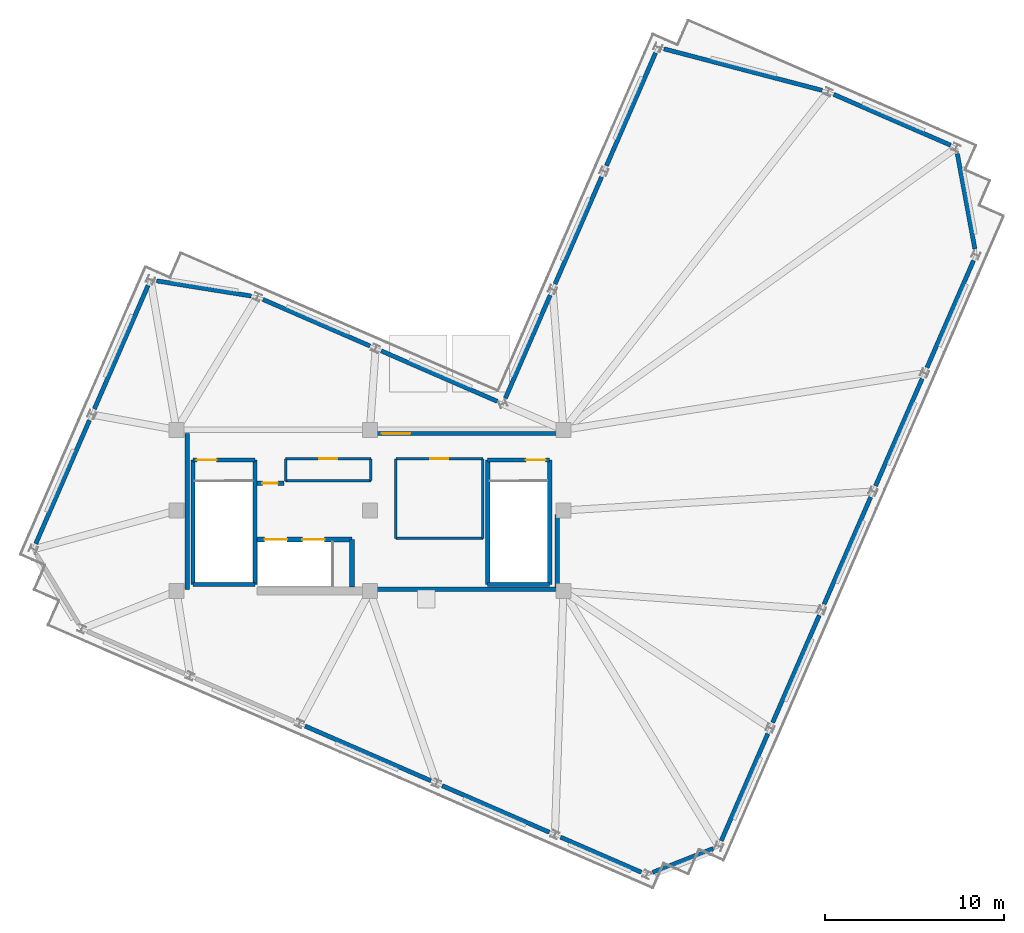
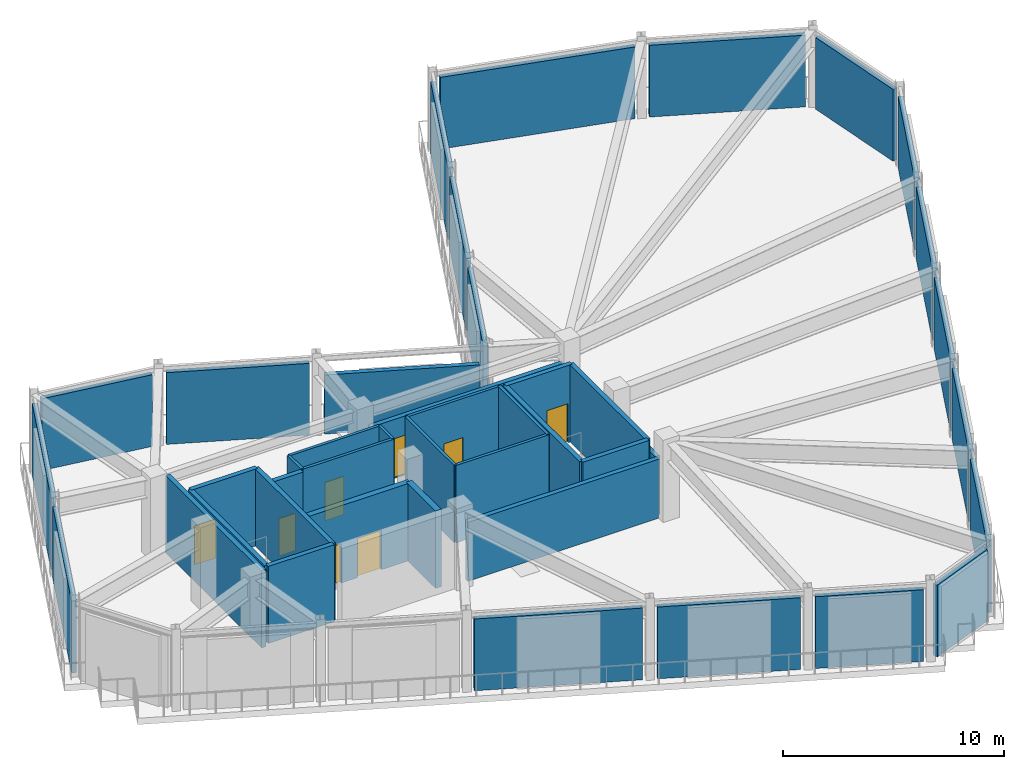
# One storey, part 5 of 7: 43 walls, 8 doors, 8 openings.
"""IFC4 building model written with IfcOpenShell, lengths in metres."""

import ifcopenshell
import ifcopenshell.guid

model = None  # the IFC model being written
_history = None  # IfcOwnerHistory: only IFC2X3 demands one
_inside = {}  # id of a spatial element -> (the spatial element, [elements in it])
_under = {}  # id of a project, library or spatial element -> (it, [spatial elements below it])
_declared = {}  # id of a project -> (the project, [libraries it declares])
_typed = {}  # id of a type object -> (the type object, [elements of that type])
_made_of = {}  # id of a material, layer set ... -> (it, [elements and type objects made of it])


def new_model(schema):
    """Start an empty IFC model of exactly this schema.

    Asked for "IFC4X3", IfcOpenShell would pick the latest addendum, in which some entities
    have other attributes; the version numbers below select the first issue.
    IFC2X3 requires an IfcOwnerHistory on every rooted entity: one is made here for all.
    """
    global model, _history
    if schema == "IFC4X3":
        model = ifcopenshell.file(schema_version=(4, 3, 0, 0))
    else:
        model = ifcopenshell.file(schema=schema)
    _inside.clear()
    _under.clear()
    _declared.clear()
    _typed.clear()
    _made_of.clear()
    _history = None
    if model.schema == "IFC2X3":
        org = make("IfcOrganization", Name="unknown")
        user = make(
            "IfcPersonAndOrganization",
            ThePerson=make("IfcPerson", FamilyName="unknown"),
            TheOrganization=org,
        )
        app = make(
            "IfcApplication",
            ApplicationDeveloper=org,
            Version="unknown",
            ApplicationFullName="unknown",
            ApplicationIdentifier="unknown",
        )
        _history = make(
            "IfcOwnerHistory",
            OwningUser=user,
            OwningApplication=app,
            ChangeAction="ADDED",
            CreationDate=0,
        )
    return model


def make(cls, **values):
    """One entity of the class cls with the attributes given. An attribute that is None is left unset."""
    return model.create_entity(
        cls, **{name: value for name, value in values.items() if value is not None}
    )


def rooted(cls, **values):
    """An entity with a GlobalId (a new one), such as an element, a storey or a relation."""
    return make(cls, GlobalId=ifcopenshell.guid.new(), OwnerHistory=_history, **values)


def si_unit(unit_type, name, prefix=None):
    """IfcSIUnit, for example si_unit("LENGTHUNIT", "METRE", prefix="MILLI")."""
    return make("IfcSIUnit", UnitType=unit_type, Prefix=prefix, Name=name)


def assignment(units):
    """IfcUnitAssignment: the units of a project."""
    return None if units is None else make("IfcUnitAssignment", Units=units)


def point(xyz):
    """IfcCartesianPoint."""
    return None if xyz is None else make("IfcCartesianPoint", Coordinates=xyz)


def direction(xyz):
    """IfcDirection."""
    return None if xyz is None else make("IfcDirection", DirectionRatios=xyz)


def frame(location, z_axis=None, x_axis=None):
    """IfcAxis2Placement3D, a coordinate frame: its origin and axes. An axis left out is left unset."""
    return make(
        "IfcAxis2Placement3D",
        Location=point(location),
        Axis=direction(z_axis),
        RefDirection=direction(x_axis),
    )


def frame_2d(location, x_axis=None):
    """IfcAxis2Placement2D, a coordinate frame in the plane: its origin and x axis."""
    return make(
        "IfcAxis2Placement2D", Location=point(location), RefDirection=direction(x_axis)
    )


def origin():
    """The frame at (0, 0, 0) with its axes left unset."""
    return frame((0.0, 0.0, 0.0))


def place(relative_to, where):
    """IfcLocalPlacement: puts the frame where relative to a parent placement (None: the world)."""
    return make(
        "IfcLocalPlacement", PlacementRelTo=relative_to, RelativePlacement=where
    )


def context(
    kind, dimensions, precision=None, world=None, true_north=None, identifier=None
):
    """IfcGeometricRepresentationContext, for example the 3D "Model" context."""
    return make(
        "IfcGeometricRepresentationContext",
        ContextIdentifier=identifier,
        ContextType=kind,
        CoordinateSpaceDimension=dimensions,
        Precision=precision,
        WorldCoordinateSystem=world,
        TrueNorth=true_north,
    )


def subcontext(parent, identifier, kind, view, scale=None):
    """IfcGeometricRepresentationSubContext, for example "Body" below "Model"."""
    return make(
        "IfcGeometricRepresentationSubContext",
        ContextIdentifier=identifier,
        ContextType=kind,
        ParentContext=parent,
        TargetScale=scale,
        TargetView=view,
    )


def project(units=None, contexts=None):
    """IfcProject with its units and contexts."""
    return rooted(
        "IfcProject",
        Name="project",
        RepresentationContexts=contexts,
        UnitsInContext=assignment(units),
    )


def spatial(cls, under=None, at=None, **own):
    """A site, building, storey or space (cls), placed at a placement, below another one or the project."""
    s = rooted(cls, ObjectPlacement=at, **own)
    if under is not None:
        _under.setdefault(under.id(), (under, []))[1].append(s)
    return s


def profile(cls, at=None, kind="AREA", **sizes):
    """A parametric profile (cls). Its sizes go by their IFC names, for example OverallWidth=200.0."""
    return make(cls, ProfileType=kind, Position=at, **sizes)


def rectangle(**sizes):
    """IfcRectangleProfileDef."""
    return profile("IfcRectangleProfileDef", **sizes)


def extrude(swept, where, along, depth):
    """IfcExtrudedAreaSolid: the profile swept, set in the frame where, extruded along a direction by depth."""
    return make(
        "IfcExtrudedAreaSolid",
        SweptArea=swept,
        Position=where,
        ExtrudedDirection=direction(along),
        Depth=depth,
    )


def shape(context_of_items, identifier, shape_type, items):
    """IfcShapeRepresentation: the items that make up one representation, for example the "Body"."""
    return make(
        "IfcShapeRepresentation",
        ContextOfItems=context_of_items,
        RepresentationIdentifier=identifier,
        RepresentationType=shape_type,
        Items=items,
    )


def material(Name=None, Category=None):
    """IfcMaterial."""
    return make("IfcMaterial", Name=Name, Category=Category)


def layer(
    of_material, thickness, ventilated=None, Name=None, Category=None, Priority=None
):
    """IfcMaterialLayer: one layer of a wall or slab, of a material (None: an air gap)."""
    return make(
        "IfcMaterialLayer",
        Material=of_material,
        LayerThickness=thickness,
        IsVentilated=ventilated,
        Name=Name,
        Category=Category,
        Priority=Priority,
    )


def layer_set(layers, Name=None):
    """IfcMaterialLayerSet."""
    return make("IfcMaterialLayerSet", MaterialLayers=layers, LayerSetName=Name)


def made_of(thing, what):
    """Note that an element or type object is made of a material, layer set ...; save() writes the relation."""
    if what is not None:
        _made_of.setdefault(what.id(), (what, []))[1].append(thing)
    return thing


def type_object(cls, material=None, **own):
    """A type object (cls), such as IfcWallType, which elements share."""
    return made_of(rooted(cls, **own), material)


def element(
    cls,
    number,
    at=None,
    inside=None,
    cuts=None,
    type_object=None,
    material=None,
    context=None,
    identifier="Body",
    shape_type=None,
    held_by="IfcProductDefinitionShape",
    body=None,
    shapes=None,
    **own,
):
    """One element of the class cls, such as IfcWall. Its Tag is "e" and its number.

    at: its placement. inside: the storey or other place that contains it. cuts: it is an
    opening in that element (IfcRelVoidsElement). A single representation is given by context,
    identifier, shape_type and body (its items); several are given by shapes. held_by: the class
    of the entity that holds the representations. save() writes the other relations.
    """
    e = rooted(cls, Tag="e%d" % number, ObjectPlacement=at, **own)
    if body is not None:
        shapes = [shape(context, identifier, shape_type, body)]
    if shapes is not None:
        e.Representation = make(held_by, Representations=shapes)
    if inside is not None:
        _inside.setdefault(inside.id(), (inside, []))[1].append(e)
    if cuts is not None:
        rooted(
            "IfcRelVoidsElement", RelatingBuildingElement=cuts, RelatedOpeningElement=e
        )
    if type_object is not None:
        _typed.setdefault(type_object.id(), (type_object, []))[1].append(e)
    return made_of(e, material)


def fill(opening, filler):
    """IfcRelFillsElement: the door or window that sits in an opening."""
    return rooted(
        "IfcRelFillsElement",
        RelatingOpeningElement=opening,
        RelatedBuildingElement=filler,
    )


def aggregate(whole, parts):
    """IfcRelAggregates: a whole, such as a stair, and the parts it consists of."""
    return rooted("IfcRelAggregates", RelatingObject=whole, RelatedObjects=parts)


def save(model, path):
    """Write the relations noted so far, then the file.

    IfcRelAggregates (storeys below a building ...), IfcRelContainedInSpatialStructure (elements
    in a storey), IfcRelDefinesByType, IfcRelAssociatesMaterial and IfcRelDeclares: one each for
    every whole, place, type object, material and project.
    """
    for whole, parts in _under.values():
        aggregate(whole, parts)
    for where, things in _inside.values():
        rooted(
            "IfcRelContainedInSpatialStructure",
            RelatedElements=things,
            RelatingStructure=where,
        )
    for kind, things in _typed.values():
        rooted("IfcRelDefinesByType", RelatedObjects=things, RelatingType=kind)
    for what, things in _made_of.values():
        rooted("IfcRelAssociatesMaterial", RelatedObjects=things, RelatingMaterial=what)
    for by, libraries in _declared.values():
        rooted("IfcRelDeclares", RelatingContext=by, RelatedDefinitions=libraries)
    model.write(path)


model = new_model("IFC4")

# Units and contexts
model_context = context("Model", 3, precision=1e-05, world=origin(), true_north=direction((0.0, 1.0)))
body_context = subcontext(model_context, "Body", "Model", "MODEL_VIEW")
ifc_project = project(units=[si_unit("LENGTHUNIT", "METRE"), si_unit("AREAUNIT", "SQUARE_METRE"), si_unit("VOLUMEUNIT", "CUBIC_METRE"), si_unit("PLANEANGLEUNIT", "RADIAN"), si_unit("MASSUNIT", "GRAM", prefix="KILO")], contexts=[model_context])

# Site, building, storey
site_placement = place(None, origin())
site = spatial("IfcSite", under=ifc_project, at=site_placement, CompositionType="ELEMENT")
building_placement = place(site_placement, origin())
building = spatial("IfcBuilding", under=site, at=building_placement, Name="Gaonmaruhae Medical Tower", CompositionType="ELEMENT")
storey_placement = place(building_placement, frame((0.0, 0.0, 347.800048828125)))
storey = spatial("IfcBuildingStorey", under=building, at=storey_placement, Name="RF", CompositionType="ELEMENT", Elevation=347.800048828125)

# Walls
ifc_material_1 = material(Name="Precast concrete C45/55", Category="concrete")
ifc_layer_1 = layer(ifc_material_1, 0.239990234375)
ifc_layer_set_1 = layer_set([ifc_layer_1], Name="Precast concrete C45/55")
wall_type_1 = type_object("IfcWallType", Name="EW-240 Ribbon & Shelter Insulated Precast Wall", PredefinedType="SOLIDWALL", material=ifc_layer_set_1)
for number, where, z_axis, x_axis, name in (
    (1, (47.009521484375, -0.159912109375, 0.0), (0.0, 0.0, 1.0), (-0.398753518778, -0.917058139521, 0.0), "RF Crown Enclosure Screen Wall S01"),
    (2, (49.88037109375, 6.44287109375, 0.0), (0.0, 0.0, 1.0), (-0.398753518778, -0.917058139521, 0.0), "RF Crown Enclosure Screen Wall S02"),
    (3, (52.75146484375, 13.045654296875, 0.0), (0.0, 0.0, 1.0), (-0.398753518778, -0.917058139521, 0.0), "RF Crown Enclosure Screen Wall S03"),
):
    element("IfcWall", number, at=place(storey_placement, frame(where, z_axis=z_axis, x_axis=x_axis)), inside=storey, type_object=wall_type_1, Name=name, PredefinedType="SOLIDWALL", context=body_context, shape_type="SweptSolid", body=[
        extrude(rectangle(XDim=6.514404296875, YDim=0.239990234375, at=frame_2d((3.25732421875, 0.0))), origin(), (0.0, 0.0, 1.0), 3.96484375),
    ])
for number, where, z_axis, x_axis, name in (
    (4, (55.622314453125, 19.6484375, 0.0), (0.0, 0.0, 1.0), (-0.398735704505, -0.917065885284, 0.0), "RF Crown Enclosure Screen Wall S04"),
    (5, (58.493408203125, 26.251220703125, 0.0), (0.0, 0.0, 1.0), (-0.39876722374, -0.917052180233, 0.0), "RF Crown Enclosure Screen Wall S05"),
):
    element("IfcWall", number, at=place(storey_placement, frame(where, z_axis=z_axis, x_axis=x_axis)), inside=storey, type_object=wall_type_1, Name=name, PredefinedType="SOLIDWALL", context=body_context, shape_type="SweptSolid", body=[
        extrude(rectangle(XDim=6.51416015625, YDim=0.239990234375, at=frame_2d((3.257080078125, 0.0))), origin(), (0.0, 0.0, 1.0), 3.96484375),
    ])
wall_1_placement = place(storey_placement, frame((57.587890625, 32.215576171875, 0.0), z_axis=(0.0, 0.0, 1.0), x_axis=(0.181398218568, -0.98340972453, 0.0)))
element("IfcWall", 6, at=wall_1_placement, inside=storey, type_object=wall_type_1, Name="RF Crown Enclosure Screen Wall S06", PredefinedType="SOLIDWALL", context=body_context, shape_type="SweptSolid", body=[
    extrude(rectangle(XDim=5.40234375, YDim=0.239990234375, at=frame_2d((2.701171875, 0.0))), origin(), (0.0, 0.0, 1.0), 3.96484375),
])
wall_2_placement = place(storey_placement, frame((50.68701171875, 35.526123046875, 0.0), z_axis=(0.0, 0.0, 1.0), x_axis=(0.917053688063, -0.398763756139, 0.0)))
element("IfcWall", 7, at=wall_2_placement, inside=storey, type_object=wall_type_1, Name="RF Crown Enclosure Screen Wall E01", PredefinedType="SOLIDWALL", context=body_context, shape_type="SweptSolid", body=[
    extrude(rectangle(XDim=7.1142578125, YDim=0.239990234375, at=frame_2d((3.55712890625, 0.0))), origin(), (0.0, 0.0, 1.0), 3.96484375),
])
wall_3_placement = place(storey_placement, frame((41.210693359375, 38.068115234375, 0.0), z_axis=(0.0, 0.0, 1.0), x_axis=(0.967226778646, -0.253914077338, 0.0)))
element("IfcWall", 8, at=wall_3_placement, inside=storey, type_object=wall_type_1, Name="RF Crown Enclosure Screen Wall E02", PredefinedType="SOLIDWALL", context=body_context, shape_type="SweptSolid", body=[
    extrude(rectangle(XDim=9.129638671875, YDim=0.239990234375, at=frame_2d((4.56494140625, 0.0))), origin(), (0.0, 0.0, 1.0), 3.96484375),
])
wall_4_placement = place(storey_placement, frame((38.005126953125, 31.5458984375, 0.0), z_axis=(0.0, 0.0, 1.0), x_axis=(0.39877292991, 0.917049698965, 0.0)))
element("IfcWall", 9, at=wall_4_placement, inside=storey, type_object=wall_type_1, Name="RF Crown Enclosure Screen Wall E03", PredefinedType="SOLIDWALL", context=body_context, shape_type="SweptSolid", body=[
    extrude(rectangle(XDim=6.8642578125, YDim=0.239990234375, at=frame_2d((3.43212890625, 0.0))), origin(), (0.0, 0.0, 1.0), 3.96484375),
])
wall_5_placement = place(storey_placement, frame((35.13427734375, 24.94287109375, 0.0), z_axis=(0.0, 0.0, 1.0), x_axis=(0.398722000218, 0.917071843719, 0.0)))
element("IfcWall", 10, at=wall_5_placement, inside=storey, type_object=wall_type_1, Name="RF Crown Enclosure Screen Wall EN01", PredefinedType="SOLIDWALL", context=body_context, shape_type="SweptSolid", body=[
    extrude(rectangle(XDim=6.514404296875, YDim=0.239990234375, at=frame_2d((3.25732421875, 0.0))), origin(), (0.0, 0.0, 1.0), 3.96484375),
])
wall_6_placement = place(storey_placement, frame((32.36279296875, 18.5693359375, 0.0), z_axis=(0.0, 0.0, 1.0), x_axis=(0.398763162525, 0.917053946185, 0.0)))
element("IfcWall", 11, at=wall_6_placement, inside=storey, type_object=wall_type_1, Name="RF Crown Enclosure Screen Wall EN02", PredefinedType="SOLIDWALL", context=body_context, shape_type="SweptSolid", body=[
    extrude(rectangle(XDim=6.264404296875, YDim=0.239990234375, at=frame_2d((3.13232421875, 0.0))), origin(), (0.0, 0.0, 1.0), 3.96484375),
])
wall_7_placement = place(storey_placement, frame((25.433349609375, 21.20849609375, 0.0), z_axis=(0.0, 0.0, 1.0), x_axis=(0.917062364056, -0.398743803002, 0.0)))
element("IfcWall", 12, at=wall_7_placement, inside=storey, type_object=wall_type_1, Name="RF Crown Enclosure Screen Wall KN01", PredefinedType="SOLIDWALL", context=body_context, shape_type="SweptSolid", body=[
    extrude(rectangle(XDim=7.064453125, YDim=0.239990234375, at=frame_2d((3.5322265625, 0.0))), origin(), (0.0, 0.0, 1.0), 3.264892578125),
])
wall_8_placement = place(storey_placement, frame((18.83056640625, 24.07958984375, 0.0), z_axis=(0.0, 0.0, 1.0), x_axis=(0.917058139521, -0.398753518778, 0.0)))
element("IfcWall", 13, at=wall_8_placement, inside=storey, type_object=wall_type_1, Name="RF Crown Enclosure Screen Wall NE01", PredefinedType="SOLIDWALL", context=body_context, shape_type="SweptSolid", body=[
    extrude(rectangle(XDim=6.514404296875, YDim=0.239990234375, at=frame_2d((3.25732421875, 0.0))), origin(), (0.0, 0.0, 1.0), 3.96484375),
])
wall_9_placement = place(storey_placement, frame((12.891845703125, 25.118896484375, 0.0), z_axis=(0.0, 0.0, 1.0), x_axis=(0.987363393691, -0.158472485939, 0.0)))
element("IfcWall", 14, at=wall_9_placement, inside=storey, type_object=wall_type_1, Name="RF Crown Enclosure Screen Wall NE02", PredefinedType="SOLIDWALL", context=body_context, shape_type="SweptSolid", body=[
    extrude(rectangle(XDim=5.353515625, YDim=0.239990234375, at=frame_2d((2.6767578125, 0.0))), origin(), (0.0, 0.0, 1.0), 3.96484375),
])
wall_10_placement = place(storey_placement, frame((9.420166015625, 17.968017578125, 0.0), z_axis=(0.0, 0.0, 1.0), x_axis=(0.398760564896, 0.917055075709, 0.0)))
element("IfcWall", 15, at=wall_10_placement, inside=storey, type_object=wall_type_1, Name="RF Crown Enclosure Screen Wall N01", PredefinedType="SOLIDWALL", context=body_context, shape_type="SweptSolid", body=[
    extrude(rectangle(XDim=7.51416015625, YDim=0.239990234375, at=frame_2d((3.757080078125, 0.0))), origin(), (0.0, 0.0, 1.0), 3.96484375),
])
wall_11_placement = place(storey_placement, frame((6.150390625, 10.447998046875, 0.0), z_axis=(0.0, 0.0, 1.0), x_axis=(0.398748683776, 0.917060241853, 0.0)))
element("IfcWall", 16, at=wall_11_placement, inside=storey, type_object=wall_type_1, Name="RF Crown Enclosure Screen Wall N02", PredefinedType="SOLIDWALL", context=body_context, shape_type="SweptSolid", body=[
    extrude(rectangle(XDim=7.514404296875, YDim=0.239990234375, at=frame_2d((3.75732421875, 0.0))), origin(), (0.0, 0.0, 1.0), 3.96484375),
])
wall_12_placement = place(storey_placement, frame((28.208984375, -2.78857421875, 0.0), z_axis=(0.0, 0.0, 1.0), x_axis=(-0.917057901504, 0.398754066172, 0.0)))
element("IfcWall", 17, at=wall_12_placement, inside=storey, type_object=wall_type_1, Name="RF Crown Enclosure Screen Wall W03", PredefinedType="SOLIDWALL", context=body_context, shape_type="SweptSolid", body=[
    extrude(rectangle(XDim=7.664306640625, YDim=0.239990234375, at=frame_2d((3.83203125, 0.0))), origin(), (0.0, 0.0, 1.0), 3.96484375),
])
wall_13_placement = place(storey_placement, frame((34.81201171875, -5.65966796875, 0.0), z_axis=(0.0, 0.0, 1.0), x_axis=(-0.917058139521, 0.398753518778, 0.0)))
element("IfcWall", 18, at=wall_13_placement, inside=storey, type_object=wall_type_1, Name="RF Crown Enclosure Screen Wall W04", PredefinedType="SOLIDWALL", context=body_context, shape_type="SweptSolid", body=[
    extrude(rectangle(XDim=6.514404296875, YDim=0.239990234375, at=frame_2d((3.25732421875, 0.0))), origin(), (0.0, 0.0, 1.0), 3.96484375),
])
wall_14_placement = place(storey_placement, frame((39.947509765625, -7.892578125, 0.0), z_axis=(0.0, 0.0, 1.0), x_axis=(-0.917063737395, 0.398740644473, 0.0)))
element("IfcWall", 19, at=wall_14_placement, inside=storey, type_object=wall_type_1, Name="RF Crown Enclosure Screen Wall W05", PredefinedType="SOLIDWALL", context=body_context, shape_type="SweptSolid", body=[
    extrude(rectangle(XDim=4.9140625, YDim=0.239990234375, at=frame_2d((2.45703125, 0.0))), origin(), (0.0, 0.0, 1.0), 3.96484375),
])
wall_15_placement = place(storey_placement, frame((43.9560546875, -6.57421875, 0.0), z_axis=(0.0, 0.0, 1.0), x_axis=(-0.930436209307, -0.366453899434, 0.0)))
element("IfcWall", 20, at=wall_15_placement, inside=storey, type_object=wall_type_1, Name="RF Crown Enclosure Screen Wall W06", PredefinedType="SOLIDWALL", context=body_context, shape_type="SweptSolid", body=[
    extrude(rectangle(XDim=3.627685546875, YDim=0.239990234375, at=frame_2d((1.81396484375, 0.0))), origin(), (0.0, 0.0, 1.0), 3.96484375),
])
wall_16_placement = place(storey_placement, frame((35.201416015625, 7.89990234375, 0.0), z_axis=(0.0, 0.0, 1.0), x_axis=(-1.0, 0.0, 0.0)))
element("IfcWall", 21, at=wall_16_placement, inside=storey, type_object=wall_type_1, Name="RF Helipad Dispatch Shelter Wall WL-RF-SHS", PredefinedType="SOLIDWALL", context=body_context, shape_type="SweptSolid", body=[
    extrude(rectangle(XDim=10.002685546875, YDim=0.239990234375, at=frame_2d((5.00146484375, 0.0))), origin(), (0.0, 0.0, 1.0), 3.264892578125),
])
wall_17_placement = place(storey_placement, frame((14.60009765625, 7.89990234375, 0.0), z_axis=(0.0, 0.0, 1.0), x_axis=(0.0, 1.0, 0.0)))
element("IfcWall", 22, at=wall_17_placement, inside=storey, type_object=wall_type_1, Name="RF Helipad Dispatch Shelter Wall WL-RF-SHW", PredefinedType="SOLIDWALL", context=body_context, shape_type="SweptSolid", body=[
    extrude(rectangle(XDim=8.7001953125, YDim=0.239990234375, at=frame_2d((4.35009765625, 0.0))), origin(), (0.0, 0.0, 1.0), 4.260009765625),
])

# Wall, opening, door
wall_18_placement = place(storey_placement, frame((25.1591796875, 16.60009765625, 0.0), z_axis=(0.0, 0.0, 1.0), x_axis=(1.0, 0.0, 0.0)))
wall_18 = element("IfcWall", 23, at=wall_18_placement, inside=storey, type_object=wall_type_1, Name="RF Helipad Dispatch Shelter Wall WL-RF-SHN", PredefinedType="SOLIDWALL", context=body_context, shape_type="SweptSolid", body=[
    extrude(rectangle(XDim=10.081787109375, YDim=0.239990234375, at=frame_2d((5.041015625, 0.0))), origin(), (0.0, 0.0, 1.0), 3.264892578125),
])
opening_1_placement = place(wall_18_placement, frame((0.300048828125, 0.0, 0.0)))
opening_1 = element("IfcOpeningElement", 24, at=opening_1_placement, cuts=wall_18, Name="Opening TD-02", PredefinedType="OPENING", context=body_context, shape_type="SweptSolid", body=[
    extrude(rectangle(XDim=1.60009765625, YDim=2.199951171875, at=frame_2d((0.800048828125, 1.10009765625))), frame((0.0, 0.1298828125, 0.0), z_axis=(0.0, -1.0, 0.0), x_axis=(1.0, 0.0, 0.0)), (0.0, 0.0, 1.0), 0.260009765625),
])
ifc_material_2 = material(Name="Anodised aluminium and toughened safety glass", Category="aluminium")
door_type_1 = type_object("IfcDoorType", Name="TD-02 Observation Deck Double Access Door 1600x2200", OperationType="NOTDEFINED", PredefinedType="DOOR", material=ifc_material_2)
door_1_placement = place(opening_1_placement, origin())
door_1 = element("IfcDoor", 25, at=door_1_placement, inside=storey, type_object=door_type_1, Name="RF Helipad Stretcher Access Door", OperationType="DOUBLE_DOOR_SINGLE_SWING", OverallHeight=2.199951171875, OverallWidth=1.60009765625, PredefinedType="DOOR", context=body_context, shape_type="SweptSolid", body=[
    extrude(rectangle(XDim=1.60009765625, YDim=2.199951171875, at=frame_2d((0.800048828125, 1.10009765625))), frame((0.0, 0.02490234375, 0.0), z_axis=(0.0, -1.0, 0.0), x_axis=(1.0, 0.0, 0.0)), (0.0, 0.0, 1.0), 0.050048828125),
])
fill(opening_1, door_1)

# Walls
wall_19_placement = place(storey_placement, frame((35.25, 12.08447265625, 0.0), z_axis=(0.0, 0.0, 1.0), x_axis=(0.0, -1.0, 0.0)))
element("IfcWall", 26, at=wall_19_placement, inside=storey, type_object=wall_type_1, Name="RF Helipad Dispatch Shelter Wall WL-RF-SHE", PredefinedType="SOLIDWALL", context=body_context, shape_type="SweptSolid", body=[
    extrude(rectangle(XDim=4.069091796875, YDim=0.239990234375, at=frame_2d((2.03466796875, 0.0))), origin(), (0.0, 0.0, 1.0), 3.264892578125),
])
ifc_material_3 = material(Name="Gypsum board partition", Category="gypsum")
ifc_layer_2 = layer(ifc_material_3, 0.14990234375)
ifc_layer_set_2 = layer_set([ifc_layer_2], Name="Gypsum board partition")
wall_type_2 = type_object("IfcWallType", Name="PW-150 Rated Clinical Corridor Partition", PredefinedType="PARTITIONING", material=ifc_layer_set_2)
wall_20_placement = place(storey_placement, frame((20.10009765625, 13.9599609375, 0.0), z_axis=(0.0, 0.0, 1.0), x_axis=(0.0, 1.0, 0.0)))
element("IfcWall", 27, at=wall_20_placement, inside=storey, type_object=wall_type_2, Name="RF Interior Partition RF-SH1-1", PredefinedType="PARTITIONING", context=body_context, shape_type="SweptSolid", body=[
    extrude(rectangle(XDim=1.219970703125, YDim=0.14990234375, at=frame_2d((0.60986328125, 0.0))), origin(), (0.0, 0.0, 1.0), 4.280029296875),
])

# Wall, opening, door
wall_21_placement = place(storey_placement, frame((20.10009765625, 15.179931640625, 0.0), z_axis=(0.0, 0.0, 1.0), x_axis=(1.0, 0.0, 0.0)))
wall_21 = element("IfcWall", 28, at=wall_21_placement, inside=storey, type_object=wall_type_2, Name="RF Interior Partition RF-SH1-2", PredefinedType="PARTITIONING", context=body_context, shape_type="SweptSolid", body=[
    extrude(rectangle(XDim=4.75, YDim=0.14990234375, at=frame_2d((2.375, 0.0))), origin(), (0.0, 0.0, 1.0), 4.280029296875),
])
opening_2_placement = place(wall_21_placement, frame((1.875, 0.0, 0.0)))
opening_2 = element("IfcOpeningElement", 29, at=opening_2_placement, cuts=wall_21, Name="Opening CD-01", PredefinedType="OPENING", context=body_context, shape_type="SweptSolid", body=[
    extrude(rectangle(XDim=1.0, YDim=2.1201171875, at=frame_2d((0.5, 1.06005859375))), frame((0.0, 0.0849609375, 0.0), z_axis=(0.0, -1.0, 0.0), x_axis=(1.0, 0.0, 0.0)), (0.0, 0.0, 1.0), 0.169921875),
])
ifc_material_4 = material(Name="Antimicrobial laminate timber fire door", Category="wood")
door_type_2 = type_object("IfcDoorType", Name="CD-01 Consultation & Physician Office Door 1000x2120", OperationType="NOTDEFINED", PredefinedType="DOOR", material=ifc_material_4)
door_2_placement = place(opening_2_placement, origin())
door_2 = element("IfcDoor", 30, at=door_2_placement, inside=storey, type_object=door_type_2, Name="RF Emergency Helipad Dispatch Shelter Door", OperationType="SINGLE_SWING_LEFT", OverallHeight=2.1201171875, OverallWidth=1.0, PredefinedType="DOOR", context=body_context, shape_type="SweptSolid", body=[
    extrude(rectangle(XDim=1.0, YDim=2.1201171875, at=frame_2d((0.5, 1.06005859375))), frame((0.0, 0.02490234375, 0.0), z_axis=(0.0, -1.0, 0.0), x_axis=(1.0, 0.0, 0.0)), (0.0, 0.0, 1.0), 0.050048828125),
])
fill(opening_2, door_2)

# Walls
wall_22_placement = place(storey_placement, frame((24.85009765625, 15.179931640625, 0.0), z_axis=(0.0, 0.0, 1.0), x_axis=(0.0, -1.0, 0.0)))
element("IfcWall", 31, at=wall_22_placement, inside=storey, type_object=wall_type_2, Name="RF Interior Partition RF-SH1-3", PredefinedType="PARTITIONING", context=body_context, shape_type="SweptSolid", body=[
    extrude(rectangle(XDim=1.219970703125, YDim=0.14990234375, at=frame_2d((0.60986328125, 0.0))), origin(), (0.0, 0.0, 1.0), 4.280029296875),
])
wall_23_placement = place(storey_placement, frame((24.85009765625, 13.9599609375, 0.0), z_axis=(0.0, 0.0, 1.0), x_axis=(-1.0, 0.0, 0.0)))
element("IfcWall", 32, at=wall_23_placement, inside=storey, type_object=wall_type_2, Name="RF Interior Partition RF-SH1-4", PredefinedType="PARTITIONING", context=body_context, shape_type="SweptSolid", body=[
    extrude(rectangle(XDim=4.75, YDim=0.14990234375, at=frame_2d((2.375, 0.0))), origin(), (0.0, 0.0, 1.0), 4.280029296875),
])
wall_24_placement = place(storey_placement, frame((26.25, 10.75, 0.0), z_axis=(0.0, 0.0, 1.0), x_axis=(0.0, 1.0, 0.0)))
element("IfcWall", 33, at=wall_24_placement, inside=storey, type_object=wall_type_2, Name="RF Interior Partition RF-SH2-5", PredefinedType="PARTITIONING", context=body_context, shape_type="SweptSolid", body=[
    extrude(rectangle(XDim=4.429931640625, YDim=0.14990234375, at=frame_2d((2.21484375, 0.0))), origin(), (0.0, 0.0, 1.0), 4.280029296875),
])

# Wall, opening, door
wall_25_placement = place(storey_placement, frame((26.25, 15.179931640625, 0.0), z_axis=(0.0, 0.0, 1.0), x_axis=(1.0, 0.0, 0.0)))
wall_25 = element("IfcWall", 34, at=wall_25_placement, inside=storey, type_object=wall_type_2, Name="RF Interior Partition RF-SH2-6", PredefinedType="PARTITIONING", context=body_context, shape_type="SweptSolid", body=[
    extrude(rectangle(XDim=4.85009765625, YDim=0.14990234375, at=frame_2d((2.425048828125, 0.0))), origin(), (0.0, 0.0, 1.0), 4.280029296875),
])
opening_3_placement = place(wall_25_placement, frame((1.925048828125, 0.0, 0.0)))
opening_3 = element("IfcOpeningElement", 35, at=opening_3_placement, cuts=wall_25, Name="Opening CD-01", PredefinedType="OPENING", context=body_context, shape_type="SweptSolid", body=[
    extrude(rectangle(XDim=1.0, YDim=2.1201171875, at=frame_2d((0.5, 1.06005859375))), frame((0.0, 0.0849609375, 0.0), z_axis=(0.0, -1.0, 0.0), x_axis=(1.0, 0.0, 0.0)), (0.0, 0.0, 1.0), 0.169921875),
])
door_3_placement = place(opening_3_placement, origin())
door_3 = element("IfcDoor", 36, at=door_3_placement, inside=storey, type_object=door_type_2, Name="RF Trauma Stretcher Triage Vestibule Door", OperationType="SINGLE_SWING_RIGHT", OverallHeight=2.1201171875, OverallWidth=1.0, PredefinedType="DOOR", context=body_context, shape_type="SweptSolid", body=[
    extrude(rectangle(XDim=1.0, YDim=2.1201171875, at=frame_2d((0.5, 1.06005859375))), frame((0.0, 0.02490234375, 0.0), z_axis=(0.0, -1.0, 0.0), x_axis=(1.0, 0.0, 0.0)), (0.0, 0.0, 1.0), 0.050048828125),
])
fill(opening_3, door_3)

# Walls
wall_26_placement = place(storey_placement, frame((31.10009765625, 15.179931640625, 0.0), z_axis=(0.0, 0.0, 1.0), x_axis=(0.0, -1.0, 0.0)))
element("IfcWall", 37, at=wall_26_placement, inside=storey, type_object=wall_type_2, Name="RF Interior Partition RF-SH2-7", PredefinedType="PARTITIONING", context=body_context, shape_type="SweptSolid", body=[
    extrude(rectangle(XDim=4.429931640625, YDim=0.14990234375, at=frame_2d((2.21484375, 0.0))), origin(), (0.0, 0.0, 1.0), 4.280029296875),
])
wall_27_placement = place(storey_placement, frame((31.10009765625, 10.75, 0.0), z_axis=(0.0, 0.0, 1.0), x_axis=(-1.0, 0.0, 0.0)))
element("IfcWall", 38, at=wall_27_placement, inside=storey, type_object=wall_type_2, Name="RF Interior Partition RF-SH2-8", PredefinedType="PARTITIONING", context=body_context, shape_type="SweptSolid", body=[
    extrude(rectangle(XDim=4.85009765625, YDim=0.14990234375, at=frame_2d((2.425048828125, 0.0))), origin(), (0.0, 0.0, 1.0), 4.280029296875),
])

# Wall, opening, door
ifc_material_5 = material(Name="Concrete C50/60", Category="concrete")
ifc_layer_3 = layer(ifc_material_5, 0.239990234375)
ifc_layer_set_3 = layer_set([ifc_layer_3], Name="Concrete C50/60")
wall_type_3 = type_object("IfcWallType", Name="SW-240 Dogleg Stair Tight Shaft Wall", PredefinedType="SOLIDWALL", material=ifc_layer_set_3)
wall_28_placement = place(storey_placement, frame((14.919921875, 15.1201171875, 0.0), z_axis=(0.0, 0.0, 1.0), x_axis=(1.0, 0.0, 0.0)))
wall_28 = element("IfcWall", 39, at=wall_28_placement, inside=storey, type_object=wall_type_3, Name="RF ST-01 Stair Shaft Wall SHW-ST-01-N", PredefinedType="SOLIDWALL", context=body_context, shape_type="SweptSolid", body=[
    extrude(rectangle(XDim=3.4599609375, YDim=0.239990234375, at=frame_2d((1.72998046875, 0.0))), origin(), (0.0, 0.0, 1.0), 4.260009765625),
])
opening_4_placement = place(wall_28_placement, frame((0.219970703125, 0.0, 0.0)))
opening_4 = element("IfcOpeningElement", 40, at=opening_4_placement, cuts=wall_28, Name="Opening FD-01", PredefinedType="OPENING", context=body_context, shape_type="SweptSolid", body=[
    extrude(rectangle(XDim=1.10009765625, YDim=2.14990234375, at=frame_2d((0.550048828125, 1.074951171875))), frame((0.0, 0.1298828125, 0.0), z_axis=(0.0, -1.0, 0.0), x_axis=(1.0, 0.0, 0.0)), (0.0, 0.0, 1.0), 0.260009765625),
])
ifc_material_6 = material(Name="Powder-coated steel fire door", Category="steel")
door_type_3 = type_object("IfcDoorType", Name="FD-01 Escape Stair Protected Fire Door 1100x2150", OperationType="NOTDEFINED", PredefinedType="DOOR", material=ifc_material_6)
door_4_placement = place(opening_4_placement, origin())
door_4 = element("IfcDoor", 41, at=door_4_placement, inside=storey, type_object=door_type_3, Name="RF ST-01 Protected Escape Stair Door", OperationType="SINGLE_SWING_LEFT", OverallHeight=2.14990234375, OverallWidth=1.10009765625, PredefinedType="DOOR", context=body_context, shape_type="SweptSolid", body=[
    extrude(rectangle(XDim=1.10009765625, YDim=2.14990234375, at=frame_2d((0.550048828125, 1.074951171875))), frame((0.0, 0.02490234375, 0.0), z_axis=(0.0, -1.0, 0.0), x_axis=(1.0, 0.0, 0.0)), (0.0, 0.0, 1.0), 0.050048828125),
])
fill(opening_4, door_4)

# Walls
wall_29_placement = place(storey_placement, frame((18.3798828125, 15.1201171875, 0.0), z_axis=(0.0, 0.0, 1.0), x_axis=(0.0, -1.0, 0.0)))
element("IfcWall", 42, at=wall_29_placement, inside=storey, type_object=wall_type_3, Name="RF ST-01 Stair Shaft Wall SHW-ST-01-E", PredefinedType="SOLIDWALL", context=body_context, shape_type="SweptSolid", body=[
    extrude(rectangle(XDim=6.9501953125, YDim=0.239990234375, at=frame_2d((3.47509765625, 0.0))), origin(), (0.0, 0.0, 1.0), 4.260009765625),
])
wall_30_placement = place(storey_placement, frame((18.3798828125, 8.169921875, 0.0), z_axis=(0.0, 0.0, 1.0), x_axis=(-1.0, 0.0, 0.0)))
element("IfcWall", 43, at=wall_30_placement, inside=storey, type_object=wall_type_3, Name="RF ST-01 Stair Shaft Wall SHW-ST-01-S", PredefinedType="SOLIDWALL", context=body_context, shape_type="SweptSolid", body=[
    extrude(rectangle(XDim=3.4599609375, YDim=0.239990234375, at=frame_2d((1.72998046875, 0.0))), origin(), (0.0, 0.0, 1.0), 4.260009765625),
])
wall_31_placement = place(storey_placement, frame((14.919921875, 8.169921875, 0.0), z_axis=(0.0, 0.0, 1.0), x_axis=(0.0, 1.0, 0.0)))
element("IfcWall", 44, at=wall_31_placement, inside=storey, type_object=wall_type_3, Name="RF ST-01 Stair Shaft Wall SHW-ST-01-W", PredefinedType="SOLIDWALL", context=body_context, shape_type="SweptSolid", body=[
    extrude(rectangle(XDim=6.9501953125, YDim=0.239990234375, at=frame_2d((3.47509765625, 0.0))), origin(), (0.0, 0.0, 1.0), 4.260009765625),
])

# Wall, opening, door
wall_32_placement = place(storey_placement, frame((31.3701171875, 15.1201171875, 0.0), z_axis=(0.0, 0.0, 1.0), x_axis=(1.0, 0.0, 0.0)))
wall_32 = element("IfcWall", 45, at=wall_32_placement, inside=storey, type_object=wall_type_3, Name="RF ST-02 Stair Shaft Wall SHW-ST-02-N", PredefinedType="SOLIDWALL", context=body_context, shape_type="SweptSolid", body=[
    extrude(rectangle(XDim=3.4599609375, YDim=0.239990234375, at=frame_2d((1.72998046875, 0.0))), origin(), (0.0, 0.0, 1.0), 4.260009765625),
])
opening_5_placement = place(wall_32_placement, frame((2.139892578125, 0.0, 0.0)))
opening_5 = element("IfcOpeningElement", 46, at=opening_5_placement, cuts=wall_32, Name="Opening FD-01", PredefinedType="OPENING", context=body_context, shape_type="SweptSolid", body=[
    extrude(rectangle(XDim=1.10009765625, YDim=2.14990234375, at=frame_2d((0.550048828125, 1.074951171875))), frame((0.0, 0.1298828125, 0.0), z_axis=(0.0, -1.0, 0.0), x_axis=(1.0, 0.0, 0.0)), (0.0, 0.0, 1.0), 0.260009765625),
])
door_5_placement = place(opening_5_placement, origin())
door_5 = element("IfcDoor", 47, at=door_5_placement, inside=storey, type_object=door_type_3, Name="RF ST-02 Protected Escape Stair Door", OperationType="SINGLE_SWING_RIGHT", OverallHeight=2.14990234375, OverallWidth=1.10009765625, PredefinedType="DOOR", context=body_context, shape_type="SweptSolid", body=[
    extrude(rectangle(XDim=1.10009765625, YDim=2.14990234375, at=frame_2d((0.550048828125, 1.074951171875))), frame((0.0, 0.02490234375, 0.0), z_axis=(0.0, -1.0, 0.0), x_axis=(1.0, 0.0, 0.0)), (0.0, 0.0, 1.0), 0.050048828125),
])
fill(opening_5, door_5)

# Walls
wall_33_placement = place(storey_placement, frame((34.830078125, 15.1201171875, 0.0), z_axis=(0.0, 0.0, 1.0), x_axis=(0.0, -1.0, 0.0)))
element("IfcWall", 48, at=wall_33_placement, inside=storey, type_object=wall_type_3, Name="RF ST-02 Stair Shaft Wall SHW-ST-02-E", PredefinedType="SOLIDWALL", context=body_context, shape_type="SweptSolid", body=[
    extrude(rectangle(XDim=6.9501953125, YDim=0.239990234375, at=frame_2d((3.47509765625, 0.0))), origin(), (0.0, 0.0, 1.0), 4.260009765625),
])
wall_34_placement = place(storey_placement, frame((34.830078125, 8.169921875, 0.0), z_axis=(0.0, 0.0, 1.0), x_axis=(-1.0, 0.0, 0.0)))
element("IfcWall", 49, at=wall_34_placement, inside=storey, type_object=wall_type_3, Name="RF ST-02 Stair Shaft Wall SHW-ST-02-S", PredefinedType="SOLIDWALL", context=body_context, shape_type="SweptSolid", body=[
    extrude(rectangle(XDim=3.4599609375, YDim=0.239990234375, at=frame_2d((1.72998046875, 0.0))), origin(), (0.0, 0.0, 1.0), 4.260009765625),
])
wall_35_placement = place(storey_placement, frame((31.3701171875, 8.169921875, 0.0), z_axis=(0.0, 0.0, 1.0), x_axis=(0.0, 1.0, 0.0)))
element("IfcWall", 50, at=wall_35_placement, inside=storey, type_object=wall_type_3, Name="RF ST-02 Stair Shaft Wall SHW-ST-02-W", PredefinedType="SOLIDWALL", context=body_context, shape_type="SweptSolid", body=[
    extrude(rectangle(XDim=6.9501953125, YDim=0.239990234375, at=frame_2d((3.47509765625, 0.0))), origin(), (0.0, 0.0, 1.0), 4.260009765625),
])

# Wall, opening, door
ifc_material_7 = material(Name="Concrete C40/50", Category="concrete")
ifc_layer_4 = layer(ifc_material_7, 0.25)
ifc_layer_set_4 = layer_set([ifc_layer_4], Name="Concrete C40/50")
wall_type_4 = type_object("IfcWallType", Name="SW-250 Crown Hoistway Shaft Wall", PredefinedType="SOLIDWALL", material=ifc_layer_set_4)
wall_36_placement = place(storey_placement, frame((18.5, 13.820068359375, 0.0), z_axis=(0.0, 0.0, 1.0), x_axis=(1.0, 0.0, 0.0)))
wall_36 = element("IfcWall", 51, at=wall_36_placement, inside=storey, type_object=wall_type_4, Name="RF Shaft Enclosure Wall SHW-FFL", PredefinedType="SOLIDWALL", context=body_context, shape_type="SweptSolid", body=[
    extrude(rectangle(XDim=1.5, YDim=0.25, at=frame_2d((0.75, 0.0))), origin(), (0.0, 0.0, 1.0), 4.280029296875),
])
opening_6_placement = place(wall_36_placement, frame((0.300048828125, 0.0, 0.0)))
opening_6 = element("IfcOpeningElement", 52, at=opening_6_placement, cuts=wall_36, Name="Opening AD-01", PredefinedType="OPENING", context=body_context, shape_type="SweptSolid", body=[
    extrude(rectangle(XDim=0.860107421875, YDim=2.06005859375, at=frame_2d((0.43017578125, 1.030029296875))), frame((0.0, 0.135009765625, 0.0), z_axis=(0.0, -1.0, 0.0), x_axis=(1.0, 0.0, 0.0)), (0.0, 0.0, 1.0), 0.27001953125),
])
ifc_material_8 = material(Name="Powder-coated steel access door", Category="steel")
door_type_4 = type_object("IfcDoorType", Name="AD-01 Riser & Closet Access Fire Door 860x2060", OperationType="NOTDEFINED", PredefinedType="DOOR", material=ifc_material_8)
door_6_placement = place(opening_6_placement, origin())
door_6 = element("IfcDoor", 53, at=door_6_placement, inside=storey, type_object=door_type_4, Name="RF Firefighting Lobby Smoke Door", OperationType="SINGLE_SWING_LEFT", OverallHeight=2.06005859375, OverallWidth=0.860107421875, PredefinedType="DOOR", context=body_context, shape_type="SweptSolid", body=[
    extrude(rectangle(XDim=0.860107421875, YDim=2.06005859375, at=frame_2d((0.43017578125, 1.030029296875))), frame((0.0, 0.02490234375, 0.0), z_axis=(0.0, -1.0, 0.0), x_axis=(1.0, 0.0, 0.0)), (0.0, 0.0, 1.0), 0.050048828125),
])
fill(opening_6, door_6)

# Wall, openings, doors
ifc_layer_5 = layer(ifc_material_5, 0.300048828125)
ifc_layer_set_5 = layer_set([ifc_layer_5], Name="Concrete C50/60")
wall_type_5 = type_object("IfcWallType", Name="SW-300 Stair & Lift Hoistway Shaft Wall", PredefinedType="SOLIDWALL", material=ifc_layer_set_5)
wall_37_placement = place(storey_placement, frame((18.5, 10.679931640625, 0.0), z_axis=(0.0, 0.0, 1.0), x_axis=(1.0, 0.0, 0.0)))
wall_37 = element("IfcWall", 54, at=wall_37_placement, inside=storey, type_object=wall_type_5, Name="RF Shaft Enclosure Wall SHW-FFN", PredefinedType="SOLIDWALL", context=body_context, shape_type="SweptSolid", body=[
    extrude(rectangle(XDim=5.300048828125, YDim=0.300048828125, at=frame_2d((2.64990234375, 0.0))), origin(), (0.0, 0.0, 1.0), 4.280029296875),
])
opening_7_placement = place(wall_37_placement, frame((0.425048828125, 0.0, 0.0)))
opening_7 = element("IfcOpeningElement", 55, at=opening_7_placement, cuts=wall_37, Name="Opening LD-F1", PredefinedType="OPENING", context=body_context, shape_type="SweptSolid", body=[
    extrude(rectangle(XDim=1.25, YDim=2.179931640625, at=frame_2d((0.625, 1.08984375))), frame((0.0, 0.16015625, 0.0), z_axis=(0.0, -1.0, 0.0), x_axis=(1.0, 0.0, 0.0)), (0.0, 0.0, 1.0), 0.320068359375),
])
opening_8_placement = place(wall_37_placement, frame((2.52490234375, 0.0, 0.0)))
opening_8 = element("IfcOpeningElement", 56, at=opening_8_placement, cuts=wall_37, Name="Opening LD-F1", PredefinedType="OPENING", context=body_context, shape_type="SweptSolid", body=[
    extrude(rectangle(XDim=1.25, YDim=2.179931640625, at=frame_2d((0.625, 1.08984375))), frame((0.0, 0.16015625, 0.0), z_axis=(0.0, -1.0, 0.0), x_axis=(1.0, 0.0, 0.0)), (0.0, 0.0, 1.0), 0.320068359375),
])
ifc_material_9 = material(Name="Brushed stainless steel 316L landing door", Category="steel")
door_type_5 = type_object("IfcDoorType", Name="LD-F1 Firefighting & Bed Lift Sliding Landing Door 1250x2180", OperationType="NOTDEFINED", PredefinedType="DOOR", material=ifc_material_9)
door_7_placement = place(opening_7_placement, origin())
door_7 = element("IfcDoor", 57, at=door_7_placement, inside=storey, type_object=door_type_5, Name="RF Firefighting Lift Landing Door FFL-01", OperationType="DOUBLE_DOOR_SLIDING", OverallHeight=2.179931640625, OverallWidth=1.25, PredefinedType="DOOR", context=body_context, shape_type="SweptSolid", body=[
    extrude(rectangle(XDim=1.25, YDim=2.179931640625, at=frame_2d((0.625, 1.08984375))), frame((0.0, 0.02490234375, 0.0), z_axis=(0.0, -1.0, 0.0), x_axis=(1.0, 0.0, 0.0)), (0.0, 0.0, 1.0), 0.050048828125),
])
fill(opening_7, door_7)
door_8_placement = place(opening_8_placement, origin())
door_8 = element("IfcDoor", 58, at=door_8_placement, inside=storey, type_object=door_type_5, Name="RF Firefighting Lift Landing Door FFL-02", OperationType="DOUBLE_DOOR_SLIDING", OverallHeight=2.179931640625, OverallWidth=1.25, PredefinedType="DOOR", context=body_context, shape_type="SweptSolid", body=[
    extrude(rectangle(XDim=1.25, YDim=2.179931640625, at=frame_2d((0.625, 1.08984375))), frame((0.0, 0.02490234375, 0.0), z_axis=(0.0, -1.0, 0.0), x_axis=(1.0, 0.0, 0.0)), (0.0, 0.0, 1.0), 0.050048828125),
])
fill(opening_8, door_8)

# Wall
wall_38_placement = place(storey_placement, frame((23.800048828125, 8.02490234375, 0.0), z_axis=(0.0, 0.0, 1.0), x_axis=(0.0, 1.0, 0.0)))
element("IfcWall", 59, at=wall_38_placement, inside=storey, type_object=wall_type_5, Name="RF Shaft Enclosure Wall SHW-FFE", PredefinedType="SOLIDWALL", context=body_context, shape_type="SweptSolid", body=[
    extrude(rectangle(XDim=2.655029296875, YDim=0.300048828125, at=frame_2d((1.32763671875, 0.0))), origin(), (0.0, 0.0, 1.0), 4.280029296875),
])

save(model, "model.ifc")
